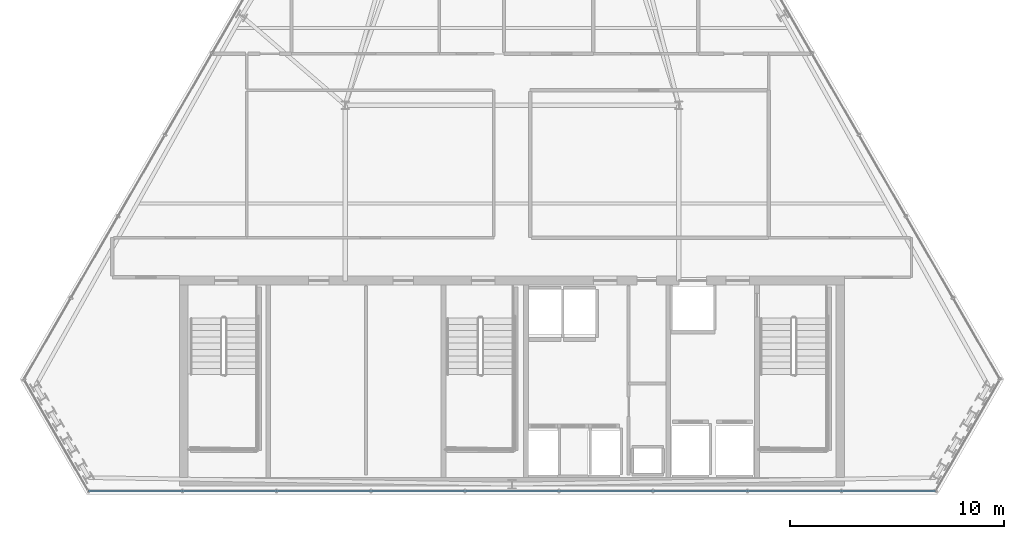
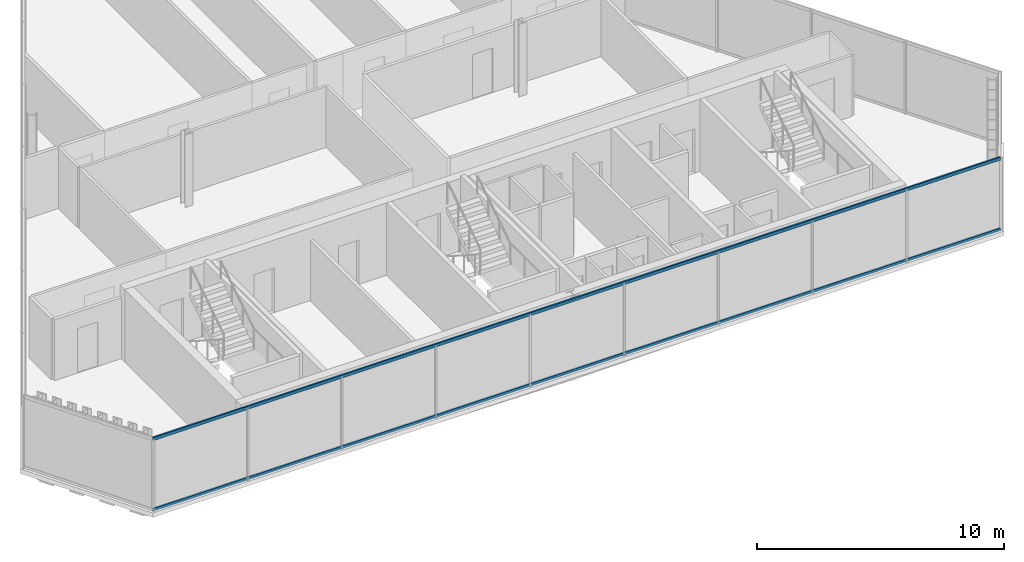
# One storey, part 8 of 32: 2 members, 1 element without a shape of its own.
"""IFC4 building model written with IfcOpenShell, lengths in metres."""

import ifcopenshell
import ifcopenshell.guid

model = None  # the IFC model being written
_history = None  # IfcOwnerHistory: only IFC2X3 demands one
_inside = {}  # id of a spatial element -> (the spatial element, [elements in it])
_under = {}  # id of a project, library or spatial element -> (it, [spatial elements below it])
_declared = {}  # id of a project -> (the project, [libraries it declares])
_typed = {}  # id of a type object -> (the type object, [elements of that type])
_made_of = {}  # id of a material, layer set ... -> (it, [elements and type objects made of it])


def new_model(schema):
    """Start an empty IFC model of exactly this schema.

    Asked for "IFC4X3", IfcOpenShell would pick the latest addendum, in which some entities
    have other attributes; the version numbers below select the first issue.
    IFC2X3 requires an IfcOwnerHistory on every rooted entity: one is made here for all.
    """
    global model, _history
    if schema == "IFC4X3":
        model = ifcopenshell.file(schema_version=(4, 3, 0, 0))
    else:
        model = ifcopenshell.file(schema=schema)
    _inside.clear()
    _under.clear()
    _declared.clear()
    _typed.clear()
    _made_of.clear()
    _history = None
    if model.schema == "IFC2X3":
        org = make("IfcOrganization", Name="unknown")
        user = make(
            "IfcPersonAndOrganization",
            ThePerson=make("IfcPerson", FamilyName="unknown"),
            TheOrganization=org,
        )
        app = make(
            "IfcApplication",
            ApplicationDeveloper=org,
            Version="unknown",
            ApplicationFullName="unknown",
            ApplicationIdentifier="unknown",
        )
        _history = make(
            "IfcOwnerHistory",
            OwningUser=user,
            OwningApplication=app,
            ChangeAction="ADDED",
            CreationDate=0,
        )
    return model


def make(cls, **values):
    """One entity of the class cls with the attributes given. An attribute that is None is left unset."""
    return model.create_entity(
        cls, **{name: value for name, value in values.items() if value is not None}
    )


def rooted(cls, **values):
    """An entity with a GlobalId (a new one), such as an element, a storey or a relation."""
    return make(cls, GlobalId=ifcopenshell.guid.new(), OwnerHistory=_history, **values)


def si_unit(unit_type, name, prefix=None):
    """IfcSIUnit, for example si_unit("LENGTHUNIT", "METRE", prefix="MILLI")."""
    return make("IfcSIUnit", UnitType=unit_type, Prefix=prefix, Name=name)


def assignment(units):
    """IfcUnitAssignment: the units of a project."""
    return None if units is None else make("IfcUnitAssignment", Units=units)


def point(xyz):
    """IfcCartesianPoint."""
    return None if xyz is None else make("IfcCartesianPoint", Coordinates=xyz)


def direction(xyz):
    """IfcDirection."""
    return None if xyz is None else make("IfcDirection", DirectionRatios=xyz)


def frame(location, z_axis=None, x_axis=None):
    """IfcAxis2Placement3D, a coordinate frame: its origin and axes. An axis left out is left unset."""
    return make(
        "IfcAxis2Placement3D",
        Location=point(location),
        Axis=direction(z_axis),
        RefDirection=direction(x_axis),
    )


def frame_2d(location, x_axis=None):
    """IfcAxis2Placement2D, a coordinate frame in the plane: its origin and x axis."""
    return make(
        "IfcAxis2Placement2D", Location=point(location), RefDirection=direction(x_axis)
    )


def origin():
    """The frame at (0, 0, 0) with its axes left unset."""
    return frame((0.0, 0.0, 0.0))


def origin_2d():
    """The frame at (0, 0) in the plane with its x axis left unset."""
    return frame_2d((0.0, 0.0))


def place(relative_to, where):
    """IfcLocalPlacement: puts the frame where relative to a parent placement (None: the world)."""
    return make(
        "IfcLocalPlacement", PlacementRelTo=relative_to, RelativePlacement=where
    )


def context(
    kind, dimensions, precision=None, world=None, true_north=None, identifier=None
):
    """IfcGeometricRepresentationContext, for example the 3D "Model" context."""
    return make(
        "IfcGeometricRepresentationContext",
        ContextIdentifier=identifier,
        ContextType=kind,
        CoordinateSpaceDimension=dimensions,
        Precision=precision,
        WorldCoordinateSystem=world,
        TrueNorth=true_north,
    )


def subcontext(parent, identifier, kind, view, scale=None):
    """IfcGeometricRepresentationSubContext, for example "Body" below "Model"."""
    return make(
        "IfcGeometricRepresentationSubContext",
        ContextIdentifier=identifier,
        ContextType=kind,
        ParentContext=parent,
        TargetScale=scale,
        TargetView=view,
    )


def project(units=None, contexts=None):
    """IfcProject with its units and contexts."""
    return rooted(
        "IfcProject",
        Name="project",
        RepresentationContexts=contexts,
        UnitsInContext=assignment(units),
    )


def spatial(cls, under=None, at=None, **own):
    """A site, building, storey or space (cls), placed at a placement, below another one or the project."""
    s = rooted(cls, ObjectPlacement=at, **own)
    if under is not None:
        _under.setdefault(under.id(), (under, []))[1].append(s)
    return s


def profile(cls, at=None, kind="AREA", **sizes):
    """A parametric profile (cls). Its sizes go by their IFC names, for example OverallWidth=200.0."""
    return make(cls, ProfileType=kind, Position=at, **sizes)


def hollow_rectangle(**sizes):
    """IfcRectangleHollowProfileDef."""
    return profile("IfcRectangleHollowProfileDef", **sizes)


def extrude(swept, where, along, depth):
    """IfcExtrudedAreaSolid: the profile swept, set in the frame where, extruded along a direction by depth."""
    return make(
        "IfcExtrudedAreaSolid",
        SweptArea=swept,
        Position=where,
        ExtrudedDirection=direction(along),
        Depth=depth,
    )


def shape(context_of_items, identifier, shape_type, items):
    """IfcShapeRepresentation: the items that make up one representation, for example the "Body"."""
    return make(
        "IfcShapeRepresentation",
        ContextOfItems=context_of_items,
        RepresentationIdentifier=identifier,
        RepresentationType=shape_type,
        Items=items,
    )


def material(Name=None, Category=None):
    """IfcMaterial."""
    return make("IfcMaterial", Name=Name, Category=Category)


def layer(
    of_material, thickness, ventilated=None, Name=None, Category=None, Priority=None
):
    """IfcMaterialLayer: one layer of a wall or slab, of a material (None: an air gap)."""
    return make(
        "IfcMaterialLayer",
        Material=of_material,
        LayerThickness=thickness,
        IsVentilated=ventilated,
        Name=Name,
        Category=Category,
        Priority=Priority,
    )


def layer_set(layers, Name=None):
    """IfcMaterialLayerSet."""
    return make("IfcMaterialLayerSet", MaterialLayers=layers, LayerSetName=Name)


def material_profile(
    of_material, cross_section, Name=None, Category=None, Priority=None
):
    """IfcMaterialProfile: a cross section and its material."""
    return make(
        "IfcMaterialProfile",
        Name=Name,
        Material=of_material,
        Profile=cross_section,
        Priority=Priority,
        Category=Category,
    )


def profile_set(profiles, Name=None, composite=None):
    """IfcMaterialProfileSet."""
    return make(
        "IfcMaterialProfileSet",
        Name=Name,
        MaterialProfiles=profiles,
        CompositeProfile=composite,
    )


def made_of(thing, what):
    """Note that an element or type object is made of a material, layer set ...; save() writes the relation."""
    if what is not None:
        _made_of.setdefault(what.id(), (what, []))[1].append(thing)
    return thing


def type_object(cls, material=None, **own):
    """A type object (cls), such as IfcWallType, which elements share."""
    return made_of(rooted(cls, **own), material)


def element(
    cls,
    number,
    at=None,
    inside=None,
    cuts=None,
    type_object=None,
    material=None,
    context=None,
    identifier="Body",
    shape_type=None,
    held_by="IfcProductDefinitionShape",
    body=None,
    shapes=None,
    **own,
):
    """One element of the class cls, such as IfcWall. Its Tag is "e" and its number.

    at: its placement. inside: the storey or other place that contains it. cuts: it is an
    opening in that element (IfcRelVoidsElement). A single representation is given by context,
    identifier, shape_type and body (its items); several are given by shapes. held_by: the class
    of the entity that holds the representations. save() writes the other relations.
    """
    e = rooted(cls, Tag="e%d" % number, ObjectPlacement=at, **own)
    if body is not None:
        shapes = [shape(context, identifier, shape_type, body)]
    if shapes is not None:
        e.Representation = make(held_by, Representations=shapes)
    if inside is not None:
        _inside.setdefault(inside.id(), (inside, []))[1].append(e)
    if cuts is not None:
        rooted(
            "IfcRelVoidsElement", RelatingBuildingElement=cuts, RelatedOpeningElement=e
        )
    if type_object is not None:
        _typed.setdefault(type_object.id(), (type_object, []))[1].append(e)
    return made_of(e, material)


def aggregate(whole, parts):
    """IfcRelAggregates: a whole, such as a stair, and the parts it consists of."""
    return rooted("IfcRelAggregates", RelatingObject=whole, RelatedObjects=parts)


def save(model, path):
    """Write the relations noted so far, then the file.

    IfcRelAggregates (storeys below a building ...), IfcRelContainedInSpatialStructure (elements
    in a storey), IfcRelDefinesByType, IfcRelAssociatesMaterial and IfcRelDeclares: one each for
    every whole, place, type object, material and project.
    """
    for whole, parts in _under.values():
        aggregate(whole, parts)
    for where, things in _inside.values():
        rooted(
            "IfcRelContainedInSpatialStructure",
            RelatedElements=things,
            RelatingStructure=where,
        )
    for kind, things in _typed.values():
        rooted("IfcRelDefinesByType", RelatedObjects=things, RelatingType=kind)
    for what, things in _made_of.values():
        rooted("IfcRelAssociatesMaterial", RelatedObjects=things, RelatingMaterial=what)
    for by, libraries in _declared.values():
        rooted("IfcRelDeclares", RelatingContext=by, RelatedDefinitions=libraries)
    model.write(path)


model = new_model("IFC4")

# Units and contexts
model_context = context("Model", 3, precision=1e-05, world=origin(), true_north=direction((0.0, 1.0)))
body_context = subcontext(model_context, "Body", "Model", "MODEL_VIEW")
ifc_project = project(units=[si_unit("LENGTHUNIT", "METRE"), si_unit("AREAUNIT", "SQUARE_METRE"), si_unit("VOLUMEUNIT", "CUBIC_METRE"), si_unit("PLANEANGLEUNIT", "RADIAN"), si_unit("MASSUNIT", "GRAM", prefix="KILO")], contexts=[model_context])

# Site, building, storey
site_placement = place(None, origin())
site = spatial("IfcSite", under=ifc_project, at=site_placement, CompositionType="ELEMENT")
building_placement = place(site_placement, origin())
building = spatial("IfcBuilding", under=site, at=building_placement, Name="Ndaravel Arena Tower", CompositionType="ELEMENT")
storey_placement = place(building_placement, frame((0.0, 0.0, 256.0)))
storey = spatial("IfcBuildingStorey", under=building, at=storey_placement, Name="L62", CompositionType="ELEMENT", Elevation=256.0)

# Curtain wall, members
ifc_material_1 = material(Name="Aluminium", Category="aluminium")
ifc_layer = layer(ifc_material_1, 0.179931640625)
ifc_layer_set = layer_set([ifc_layer], Name="Aluminium")
curtain_wall_type = type_object("IfcCurtainWallType", Name="CW-SYS-03", PredefinedType="NOTDEFINED", material=ifc_layer_set)
curtain_wall_placement = place(storey_placement, origin())
curtain_wall = element("IfcCurtainWall", 1, at=curtain_wall_placement, inside=storey, type_object=curtain_wall_type, Name="L62 Faceted Crystal Curtain Wall CW-L62-E01", PredefinedType="NOTDEFINED")
ifc_material_2 = material(Name="Aluminium", Category="aluminium")
ifc_material_profile = material_profile(ifc_material_2, hollow_rectangle(XDim=0.074951171875, YDim=0.14990234375, WallThickness=0.00390625, at=origin_2d()), Name="CW TRANSOM 75x150x4")
ifc_profile_set = profile_set([ifc_material_profile], Name="Aluminium")
member_type = type_object("IfcMemberType", Name="MEM-CW-TRN150", PredefinedType="USERDEFINED", material=ifc_profile_set)
member_1_placement = place(storey_placement, frame((22.197021484375, 5.159912109375, 0.0400390625), z_axis=(1.0, 0.0, 0.0), x_axis=(0.0, 1.0, 0.0)))
member_1 = element("IfcMember", 2, at=member_1_placement, type_object=member_type, Name="CW-L62-E01 Transom 01", ObjectType="TRANSOM", PredefinedType="USERDEFINED", context=body_context, shape_type="SweptSolid", body=[
    extrude(hollow_rectangle(XDim=0.074951171875, YDim=0.14990234375, WallThickness=0.00390625, at=origin_2d()), origin(), (0.0, 0.0, 1.0), 39.60595703125),
])
member_2_placement = place(storey_placement, frame((22.197021484375, 5.159912109375, 3.5400390625), z_axis=(1.0, 0.0, 0.0), x_axis=(0.0, 1.0, 0.0)))
member_2 = element("IfcMember", 3, at=member_2_placement, type_object=member_type, Name="CW-L62-E01 Transom 02", ObjectType="TRANSOM", PredefinedType="USERDEFINED", context=body_context, shape_type="SweptSolid", body=[
    extrude(hollow_rectangle(XDim=0.074951171875, YDim=0.14990234375, WallThickness=0.00390625, at=origin_2d()), origin(), (0.0, 0.0, 1.0), 39.60595703125),
])
aggregate(curtain_wall, [member_1, member_2])

save(model, "model.ifc")
